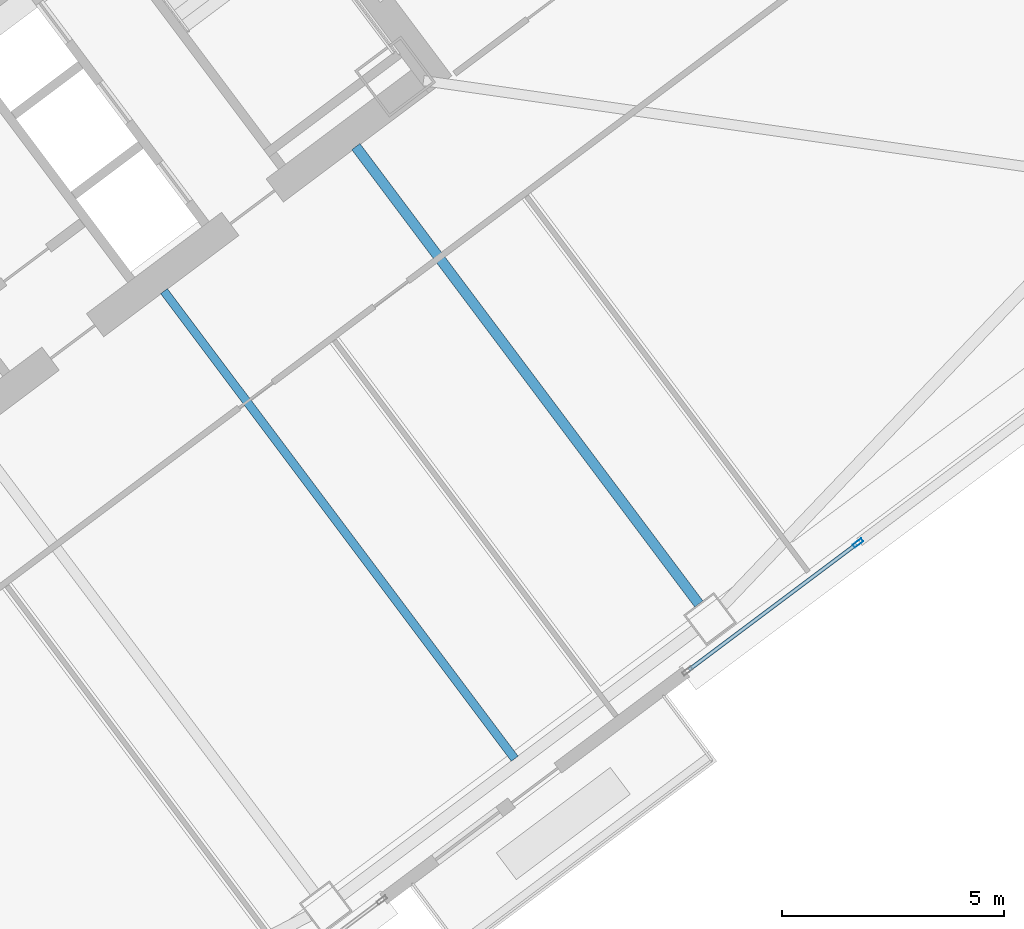
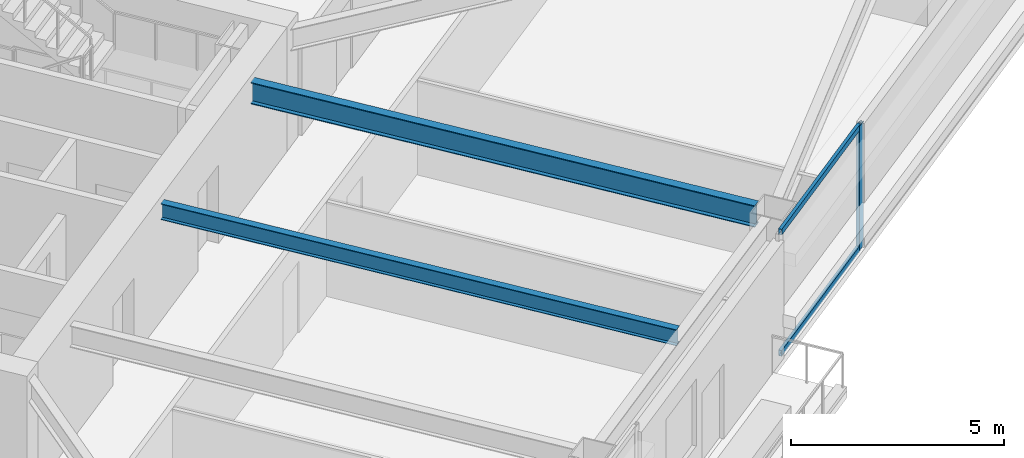
# One storey, part 26 of 48: 3 members, 2 beams, 1 element without a shape of its own.
"""IFC4 building model written with IfcOpenShell, lengths in metres."""

from ifc_helpers import new_model, si_unit, direction, frame, origin, origin_2d, place, context, subcontext, project, spatial, hollow_rectangle, i_section, extrude, material, material_profile, profile_set, type_object, element, aggregate, save


model = new_model("IFC4")

# Units and contexts
model_context = context("Model", 3, precision=1e-05, world=origin(), true_north=direction((0.0, 1.0)))
body_context = subcontext(model_context, "Body", "Model", "MODEL_VIEW")
ifc_project = project(units=[si_unit("LENGTHUNIT", "METRE"), si_unit("AREAUNIT", "SQUARE_METRE"), si_unit("VOLUMEUNIT", "CUBIC_METRE"), si_unit("PLANEANGLEUNIT", "RADIAN"), si_unit("MASSUNIT", "GRAM", prefix="KILO")], contexts=[model_context])

# Site, building, storey
site_placement = place(None, origin())
site = spatial("IfcSite", under=ifc_project, at=site_placement, CompositionType="ELEMENT")
building_placement = place(site_placement, origin())
building = spatial("IfcBuilding", under=site, at=building_placement, Name="Tashvorn Skyway Center", CompositionType="ELEMENT")
storey_placement = place(building_placement, frame((0.0, 0.0, 53.0)))
storey = spatial("IfcBuildingStorey", under=building, at=storey_placement, Name="L13", CompositionType="ELEMENT", Elevation=53.0)

# Beams
ifc_material_1 = material(Name="Steel ASTM A992 Grade 50", Category="steel")
ifc_material_profile_1 = material_profile(ifc_material_1, i_section(OverallWidth=0.22998046875, OverallDepth=0.616943359375, WebThickness=0.01318359375, FlangeThickness=0.022216796875, at=origin_2d()), Name="W24X94")
ifc_profile_set_1 = profile_set([ifc_material_profile_1], Name="Steel ASTM A992 Grade 50")
beam_type_1 = type_object("IfcBeamType", Name="BM-BEAM-W24X94", PredefinedType="BEAM", material=ifc_profile_set_1)
beam_1_placement = place(storey_placement, frame((130.697998046875, 18.736083984375, 3.04150390625), z_axis=(-0.599996960112, 0.800002279907, 0.0), x_axis=(-0.800002279907, -0.599996960112, 0.0)))
element("IfcBeam", 1, at=beam_1_placement, inside=storey, type_object=beam_type_1, Name="Tower 2 L13 Primary Floor Girder FC-S2", PredefinedType="BEAM", context=body_context, shape_type="SweptSolid", body=[
    extrude(i_section(OverallWidth=0.22998046875, OverallDepth=0.616943359375, WebThickness=0.01318359375, FlangeThickness=0.022216796875, at=origin_2d()), origin(), (0.0, 0.0, 1.0), 12.85009765625),
])
ifc_material_profile_2 = material_profile(ifc_material_1, i_section(OverallWidth=0.19091796875, OverallDepth=0.4599609375, WebThickness=0.010009765625, FlangeThickness=0.01611328125, at=origin_2d()), Name="W18X55")
ifc_profile_set_2 = profile_set([ifc_material_profile_2], Name="Steel ASTM A992 Grade 50")
beam_type_2 = type_object("IfcBeamType", Name="BM-JOIST-W18X55", PredefinedType="JOIST", material=ifc_profile_set_2)
beam_2_placement = place(storey_placement, frame((118.674072265625, 25.76806640625, 3.1201171875), z_axis=(0.600002972791, -0.799997770398, 0.0), x_axis=(0.799997770398, 0.600002972791, 0.0)))
element("IfcBeam", 2, at=beam_2_placement, inside=storey, type_object=beam_type_2, Name="Tower 2 L13 Secondary Composite Joist JS", PredefinedType="JOIST", context=body_context, shape_type="SweptSolid", body=[
    extrude(i_section(OverallWidth=0.19091796875, OverallDepth=0.4599609375, WebThickness=0.010009765625, FlangeThickness=0.01611328125, at=origin_2d()), origin(), (0.0, 0.0, 1.0), 13.139892578125),
])

# Curtain wall, members
ifc_material_2 = material(Name="Thermally broken bronze-anodized aluminium 6063-T6", Category="aluminium")
curtain_wall_type = type_object("IfcCurtainWallType", Name="CW-CW-Z1", PredefinedType="NOTDEFINED", material=ifc_material_2)
curtain_wall_placement = place(storey_placement, origin())
curtain_wall = element("IfcCurtainWall", 3, at=curtain_wall_placement, inside=storey, type_object=curtain_wall_type, Name="Tower 2 L13 South Curtain Wall L Glazing Group 1", PredefinedType="NOTDEFINED")
ifc_material_profile_3 = material_profile(ifc_material_2, hollow_rectangle(XDim=0.0849609375, YDim=0.239990234375, WallThickness=0.0048828125, at=origin_2d()), Name="ALU-MULL-85x240")
ifc_profile_set_3 = profile_set([ifc_material_profile_3], Name="Thermally broken bronze-anodized aluminium 6063-T6")
member_type_1 = type_object("IfcMemberType", Name="CWM-CW-Z1", PredefinedType="MULLION", material=ifc_profile_set_3)
member_1_placement = place(storey_placement, frame((134.275390625, 20.1064453125, 0.0), z_axis=(0.0, 0.0, 1.0), x_axis=(0.600003280937, -0.799997539287, 0.0)))
member_1 = element("IfcMember", 4, at=member_1_placement, type_object=member_type_1, Name="CW-Z1 mullion 1", PredefinedType="MULLION", context=body_context, shape_type="SweptSolid", body=[
    extrude(hollow_rectangle(XDim=0.0849609375, YDim=0.239990234375, WallThickness=0.0048828125, at=origin_2d()), origin(), (0.0, 0.0, 1.0), 3.550048828125),
])
ifc_material_profile_4 = material_profile(ifc_material_2, hollow_rectangle(XDim=0.0849609375, YDim=0.1650390625, WallThickness=0.0048828125, at=origin_2d()), Name="ALU-TRAN-85x165")
ifc_profile_set_4 = profile_set([ifc_material_profile_4], Name="Thermally broken bronze-anodized aluminium 6063-T6")
member_type_2 = type_object("IfcMemberType", Name="CWT-CW-Z1", PredefinedType="USERDEFINED", material=ifc_profile_set_4)
member_2_placement = place(storey_placement, frame((134.2412109375, 20.0810546875, 0.04248046875), z_axis=(-0.799987550274, -0.600016599275, 0.0), x_axis=(0.600016599275, -0.799987550274, 0.0)))
member_2 = element("IfcMember", 5, at=member_2_placement, type_object=member_type_2, Name="CW-Z1 transom 1.1", ObjectType="TRANSOM", PredefinedType="USERDEFINED", context=body_context, shape_type="SweptSolid", body=[
    extrude(hollow_rectangle(XDim=0.0849609375, YDim=0.1650390625, WallThickness=0.0048828125, at=origin_2d()), origin(), (0.0, 0.0, 1.0), 4.70654296875),
])
member_3_placement = place(storey_placement, frame((134.2412109375, 20.0810546875, 3.507568359375), z_axis=(-0.799987550274, -0.600016599275, 0.0), x_axis=(0.600016599275, -0.799987550274, 0.0)))
member_3 = element("IfcMember", 6, at=member_3_placement, type_object=member_type_2, Name="CW-Z1 transom 1.2", ObjectType="TRANSOM", PredefinedType="USERDEFINED", context=body_context, shape_type="SweptSolid", body=[
    extrude(hollow_rectangle(XDim=0.0849609375, YDim=0.1650390625, WallThickness=0.0048828125, at=origin_2d()), origin(), (0.0, 0.0, 1.0), 4.70654296875),
])
aggregate(curtain_wall, [member_1, member_2, member_3])

save(model, "model.ifc")
